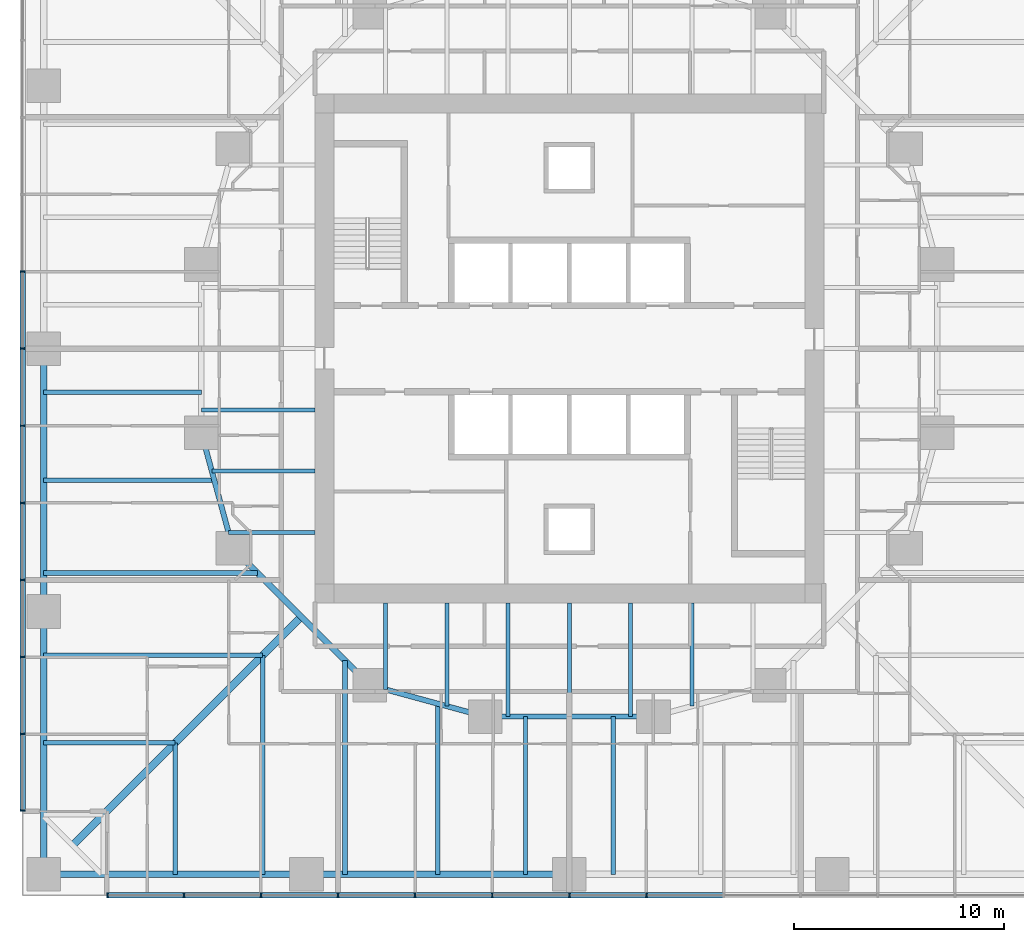
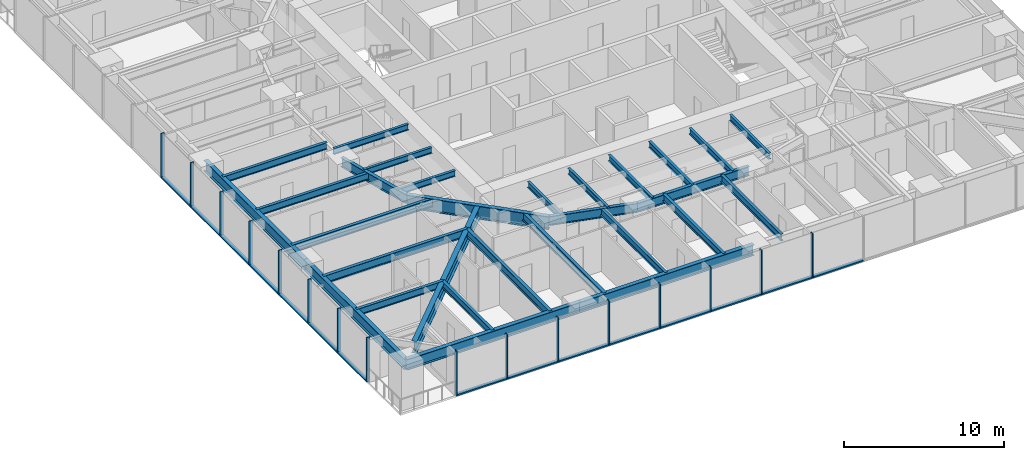
# One storey, part 2 of 18: 31 members, 29 beams, 2 elements without a shape of their own.
"""IFC4 building model written with IfcOpenShell, lengths in metres."""

from ifc_helpers import new_model, si_unit, direction, frame, origin, origin_2d, place, context, subcontext, project, spatial, rectangle, i_section, extrude, material, material_profile, profile_set, type_object, element, aggregate, save


model = new_model("IFC4")

# Units and contexts
model_context = context("Model", 3, precision=1e-05, world=origin(), true_north=direction((0.0, 1.0)))
body_context = subcontext(model_context, "Body", "Model", "MODEL_VIEW")
ifc_project = project(units=[si_unit("LENGTHUNIT", "METRE"), si_unit("AREAUNIT", "SQUARE_METRE"), si_unit("VOLUMEUNIT", "CUBIC_METRE"), si_unit("PLANEANGLEUNIT", "RADIAN"), si_unit("MASSUNIT", "GRAM", prefix="KILO")], contexts=[model_context])

# Site, building, storey
site_placement = place(None, origin())
site = spatial("IfcSite", under=ifc_project, at=site_placement, CompositionType="ELEMENT")
building_placement = place(site_placement, origin())
building = spatial("IfcBuilding", under=site, at=building_placement, Name="Torsade Residences", CompositionType="ELEMENT")
storey_placement = place(building_placement, frame((0.0, 0.0, 28.60009765625)))
storey = spatial("IfcBuildingStorey", under=building, at=storey_placement, Name="L07", CompositionType="ELEMENT", Elevation=28.60009765625)

# Beam
ifc_material_1 = material(Name="Steel grade 300", Category="steel")
ifc_material_profile_1 = material_profile(ifc_material_1, i_section(OverallWidth=0.35009765625, OverallDepth=0.909912109375, WebThickness=0.011962890625, FlangeThickness=0.02490234375, at=origin_2d()), Name="900WB218")
ifc_profile_set_1 = profile_set([ifc_material_profile_1], Name="Steel grade 300")
beam_type_1 = type_object("IfcBeamType", Name="CORNER GIRDER 900WB218", PredefinedType="BEAM", material=ifc_profile_set_1)
beam_1_placement = place(storey_placement, frame((16.375, 6.375, 2.794921875), z_axis=(0.707106781187, 0.707106781187, 0.0), x_axis=(-0.707106781187, 0.707106781187, 0.0)))
element("IfcBeam", 1, at=beam_1_placement, inside=storey, type_object=beam_type_1, Name="Corner girder 01 L08", PredefinedType="BEAM", context=body_context, shape_type="SweptSolid", body=[
    extrude(i_section(OverallWidth=0.35009765625, OverallDepth=0.909912109375, WebThickness=0.011962890625, FlangeThickness=0.02490234375, at=origin_2d()), origin(), (0.0, 0.0, 1.0), 15.379638671875),
])

# Curtain wall, members
ifc_material_2 = material(Name="Aluminium and glass", Category="aluminium")
curtain_wall_type = type_object("IfcCurtainWallType", Name="FRITTED GLASS CURTAIN WALL LOW ZONE", PredefinedType="NOTDEFINED", material=ifc_material_2)
curtain_wall_1_placement = place(storey_placement, origin())
curtain_wall_1 = element("IfcCurtainWall", 2, at=curtain_wall_1_placement, inside=storey, type_object=curtain_wall_type, Name="Curtain wall L07 face 1", PredefinedType="NOTDEFINED")
ifc_material_3 = material(Name="Aluminium mullion", Category="aluminium")
ifc_material_profile_2 = material_profile(ifc_material_3, rectangle(XDim=0.25, YDim=0.06494140625, at=origin_2d()), Name="CURTAIN WALL MULLION 250x65")
ifc_profile_set_2 = profile_set([ifc_material_profile_2], Name="Aluminium mullion")
member_type_1 = type_object("IfcMemberType", Name="CURTAIN WALL MULLION 250x65", PredefinedType="MULLION", material=ifc_profile_set_2)
member_1_placement = place(storey_placement, frame((18.032470703125, 4.0, 0.0), z_axis=(0.0, 0.0, 1.0), x_axis=(0.0, 1.0, 0.0)))
member_1 = element("IfcMember", 3, at=member_1_placement, type_object=member_type_1, Name="Mullion 1", PredefinedType="MULLION", context=body_context, shape_type="SweptSolid", body=[
    extrude(rectangle(XDim=0.25, YDim=0.06494140625, at=origin_2d()), origin(), (0.0, 0.0, 1.0), 3.39990234375),
])
member_2_placement = place(storey_placement, frame((21.666748046875, 4.0, 0.0), z_axis=(0.0, 0.0, 1.0), x_axis=(0.0, 1.0, 0.0)))
member_2 = element("IfcMember", 4, at=member_2_placement, type_object=member_type_1, Name="Mullion 2", PredefinedType="MULLION", context=body_context, shape_type="SweptSolid", body=[
    extrude(rectangle(XDim=0.25, YDim=0.06494140625, at=origin_2d()), origin(), (0.0, 0.0, 1.0), 3.39990234375),
])
member_3_placement = place(storey_placement, frame((25.333251953125, 4.0, 0.0), z_axis=(0.0, 0.0, 1.0), x_axis=(0.0, 1.0, 0.0)))
member_3 = element("IfcMember", 5, at=member_3_placement, type_object=member_type_1, Name="Mullion 3", PredefinedType="MULLION", context=body_context, shape_type="SweptSolid", body=[
    extrude(rectangle(XDim=0.25, YDim=0.06494140625, at=origin_2d()), origin(), (0.0, 0.0, 1.0), 3.39990234375),
])
member_4_placement = place(storey_placement, frame((29.0, 4.0, 0.0), z_axis=(0.0, 0.0, 1.0), x_axis=(0.0, 1.0, 0.0)))
member_4 = element("IfcMember", 6, at=member_4_placement, type_object=member_type_1, Name="Mullion 4", PredefinedType="MULLION", context=body_context, shape_type="SweptSolid", body=[
    extrude(rectangle(XDim=0.25, YDim=0.06494140625, at=origin_2d()), origin(), (0.0, 0.0, 1.0), 3.39990234375),
])
member_5_placement = place(storey_placement, frame((32.666748046875, 4.0, 0.0), z_axis=(0.0, 0.0, 1.0), x_axis=(0.0, 1.0, 0.0)))
member_5 = element("IfcMember", 7, at=member_5_placement, type_object=member_type_1, Name="Mullion 5", PredefinedType="MULLION", context=body_context, shape_type="SweptSolid", body=[
    extrude(rectangle(XDim=0.25, YDim=0.06494140625, at=origin_2d()), origin(), (0.0, 0.0, 1.0), 3.39990234375),
])
member_6_placement = place(storey_placement, frame((36.333251953125, 4.0, 0.0), z_axis=(0.0, 0.0, 1.0), x_axis=(0.0, 1.0, 0.0)))
member_6 = element("IfcMember", 8, at=member_6_placement, type_object=member_type_1, Name="Mullion 6", PredefinedType="MULLION", context=body_context, shape_type="SweptSolid", body=[
    extrude(rectangle(XDim=0.25, YDim=0.06494140625, at=origin_2d()), origin(), (0.0, 0.0, 1.0), 3.39990234375),
])
member_7_placement = place(storey_placement, frame((40.0, 4.0, 0.0), z_axis=(0.0, 0.0, 1.0), x_axis=(0.0, 1.0, 0.0)))
member_7 = element("IfcMember", 9, at=member_7_placement, type_object=member_type_1, Name="Mullion 7", PredefinedType="MULLION", context=body_context, shape_type="SweptSolid", body=[
    extrude(rectangle(XDim=0.25, YDim=0.06494140625, at=origin_2d()), origin(), (0.0, 0.0, 1.0), 3.39990234375),
])
member_8_placement = place(storey_placement, frame((43.666748046875, 4.0, 0.0), z_axis=(0.0, 0.0, 1.0), x_axis=(0.0, 1.0, 0.0)))
member_8 = element("IfcMember", 10, at=member_8_placement, type_object=member_type_1, Name="Mullion 8", PredefinedType="MULLION", context=body_context, shape_type="SweptSolid", body=[
    extrude(rectangle(XDim=0.25, YDim=0.06494140625, at=origin_2d()), origin(), (0.0, 0.0, 1.0), 3.39990234375),
])

curtain_wall_2_placement = place(storey_placement, origin())
curtain_wall_2 = element("IfcCurtainWall", 11, at=curtain_wall_2_placement, inside=storey, type_object=curtain_wall_type, Name="Curtain wall L07 face 10", PredefinedType="NOTDEFINED")
member_9_placement = place(storey_placement, frame((14.0, 33.666748046875, 0.0), z_axis=(0.0, 0.0, 1.0), x_axis=(1.0, 0.0, 0.0)))
member_9 = element("IfcMember", 12, at=member_9_placement, type_object=member_type_1, Name="Mullion 6", PredefinedType="MULLION", context=body_context, shape_type="SweptSolid", body=[
    extrude(rectangle(XDim=0.25, YDim=0.06494140625, at=origin_2d()), origin(), (0.0, 0.0, 1.0), 3.39990234375),
])
member_10_placement = place(storey_placement, frame((14.0, 30.0, 0.0), z_axis=(0.0, 0.0, 1.0), x_axis=(1.0, 0.0, 0.0)))
member_10 = element("IfcMember", 13, at=member_10_placement, type_object=member_type_1, Name="Mullion 7", PredefinedType="MULLION", context=body_context, shape_type="SweptSolid", body=[
    extrude(rectangle(XDim=0.25, YDim=0.06494140625, at=origin_2d()), origin(), (0.0, 0.0, 1.0), 3.39990234375),
])
member_11_placement = place(storey_placement, frame((14.0, 26.333251953125, 0.0), z_axis=(0.0, 0.0, 1.0), x_axis=(1.0, 0.0, 0.0)))
member_11 = element("IfcMember", 14, at=member_11_placement, type_object=member_type_1, Name="Mullion 8", PredefinedType="MULLION", context=body_context, shape_type="SweptSolid", body=[
    extrude(rectangle(XDim=0.25, YDim=0.06494140625, at=origin_2d()), origin(), (0.0, 0.0, 1.0), 3.39990234375),
])
member_12_placement = place(storey_placement, frame((14.0, 22.666748046875, 0.0), z_axis=(0.0, 0.0, 1.0), x_axis=(1.0, 0.0, 0.0)))
member_12 = element("IfcMember", 15, at=member_12_placement, type_object=member_type_1, Name="Mullion 9", PredefinedType="MULLION", context=body_context, shape_type="SweptSolid", body=[
    extrude(rectangle(XDim=0.25, YDim=0.06494140625, at=origin_2d()), origin(), (0.0, 0.0, 1.0), 3.39990234375),
])
member_13_placement = place(storey_placement, frame((14.0, 19.0, 0.0), z_axis=(0.0, 0.0, 1.0), x_axis=(1.0, 0.0, 0.0)))
member_13 = element("IfcMember", 16, at=member_13_placement, type_object=member_type_1, Name="Mullion 10", PredefinedType="MULLION", context=body_context, shape_type="SweptSolid", body=[
    extrude(rectangle(XDim=0.25, YDim=0.06494140625, at=origin_2d()), origin(), (0.0, 0.0, 1.0), 3.39990234375),
])
member_14_placement = place(storey_placement, frame((14.0, 15.333251953125, 0.0), z_axis=(0.0, 0.0, 1.0), x_axis=(1.0, 0.0, 0.0)))
member_14 = element("IfcMember", 17, at=member_14_placement, type_object=member_type_1, Name="Mullion 11", PredefinedType="MULLION", context=body_context, shape_type="SweptSolid", body=[
    extrude(rectangle(XDim=0.25, YDim=0.06494140625, at=origin_2d()), origin(), (0.0, 0.0, 1.0), 3.39990234375),
])
member_15_placement = place(storey_placement, frame((14.0, 11.666748046875, 0.0), z_axis=(0.0, 0.0, 1.0), x_axis=(1.0, 0.0, 0.0)))
member_15 = element("IfcMember", 18, at=member_15_placement, type_object=member_type_1, Name="Mullion 12", PredefinedType="MULLION", context=body_context, shape_type="SweptSolid", body=[
    extrude(rectangle(XDim=0.25, YDim=0.06494140625, at=origin_2d()), origin(), (0.0, 0.0, 1.0), 3.39990234375),
])
member_16_placement = place(storey_placement, frame((14.0, 8.032470703125, 0.0), z_axis=(0.0, 0.0, 1.0), x_axis=(1.0, 0.0, 0.0)))
member_16 = element("IfcMember", 19, at=member_16_placement, type_object=member_type_1, Name="Mullion 13", PredefinedType="MULLION", context=body_context, shape_type="SweptSolid", body=[
    extrude(rectangle(XDim=0.25, YDim=0.06494140625, at=origin_2d()), origin(), (0.0, 0.0, 1.0), 3.39990234375),
])

# Member
ifc_material_4 = material(Name="Aluminium transom", Category="aluminium")
ifc_material_profile_3 = material_profile(ifc_material_4, rectangle(XDim=0.25, YDim=0.10009765625, at=origin_2d()), Name="CURTAIN WALL TRANSOM 250x100")
ifc_profile_set_3 = profile_set([ifc_material_profile_3], Name="Aluminium transom")
member_type_2 = type_object("IfcMemberType", Name="CURTAIN WALL TRANSOM 250x100", PredefinedType="USERDEFINED", material=ifc_profile_set_3)
member_17_placement = place(storey_placement, frame((18.06494140625, 4.0, 0.0498046875), z_axis=(1.0, 0.0, 0.0), x_axis=(0.0, 1.0, 0.0)))
member_17 = element("IfcMember", 20, at=member_17_placement, type_object=member_type_2, Name="Transom 1.1", ObjectType="TRANSOM", PredefinedType="USERDEFINED", context=body_context, shape_type="SweptSolid", body=[
    extrude(rectangle(XDim=0.25, YDim=0.10009765625, at=origin_2d()), origin(), (0.0, 0.0, 1.0), 3.5693359375),
])

member_18_placement = place(storey_placement, frame((21.69921875, 4.0, 0.0498046875), z_axis=(1.0, 0.0, 0.0), x_axis=(0.0, 1.0, 0.0)))
member_18 = element("IfcMember", 21, at=member_18_placement, type_object=member_type_2, Name="Transom 2.1", ObjectType="TRANSOM", PredefinedType="USERDEFINED", context=body_context, shape_type="SweptSolid", body=[
    extrude(rectangle(XDim=0.25, YDim=0.10009765625, at=origin_2d()), origin(), (0.0, 0.0, 1.0), 3.6015625),
])

member_19_placement = place(storey_placement, frame((25.36572265625, 4.0, 0.0498046875), z_axis=(1.0, 0.0, 0.0), x_axis=(0.0, 1.0, 0.0)))
member_19 = element("IfcMember", 22, at=member_19_placement, type_object=member_type_2, Name="Transom 3.1", ObjectType="TRANSOM", PredefinedType="USERDEFINED", context=body_context, shape_type="SweptSolid", body=[
    extrude(rectangle(XDim=0.25, YDim=0.10009765625, at=origin_2d()), origin(), (0.0, 0.0, 1.0), 3.601806640625),
])

member_20_placement = place(storey_placement, frame((29.032470703125, 4.0, 0.0498046875), z_axis=(1.0, 0.0, 0.0), x_axis=(0.0, 1.0, 0.0)))
member_20 = element("IfcMember", 23, at=member_20_placement, type_object=member_type_2, Name="Transom 4.1", ObjectType="TRANSOM", PredefinedType="USERDEFINED", context=body_context, shape_type="SweptSolid", body=[
    extrude(rectangle(XDim=0.25, YDim=0.10009765625, at=origin_2d()), origin(), (0.0, 0.0, 1.0), 3.601806640625),
])

member_21_placement = place(storey_placement, frame((32.69921875, 4.0, 0.0498046875), z_axis=(1.0, 0.0, 0.0), x_axis=(0.0, 1.0, 0.0)))
member_21 = element("IfcMember", 24, at=member_21_placement, type_object=member_type_2, Name="Transom 5.1", ObjectType="TRANSOM", PredefinedType="USERDEFINED", context=body_context, shape_type="SweptSolid", body=[
    extrude(rectangle(XDim=0.25, YDim=0.10009765625, at=origin_2d()), origin(), (0.0, 0.0, 1.0), 3.6015625),
])

member_22_placement = place(storey_placement, frame((36.36572265625, 4.0, 0.0498046875), z_axis=(1.0, 0.0, 0.0), x_axis=(0.0, 1.0, 0.0)))
member_22 = element("IfcMember", 25, at=member_22_placement, type_object=member_type_2, Name="Transom 6.1", ObjectType="TRANSOM", PredefinedType="USERDEFINED", context=body_context, shape_type="SweptSolid", body=[
    extrude(rectangle(XDim=0.25, YDim=0.10009765625, at=origin_2d()), origin(), (0.0, 0.0, 1.0), 3.601806640625),
])

member_23_placement = place(storey_placement, frame((40.032470703125, 4.0, 0.0498046875), z_axis=(1.0, 0.0, 0.0), x_axis=(0.0, 1.0, 0.0)))
member_23 = element("IfcMember", 26, at=member_23_placement, type_object=member_type_2, Name="Transom 7.1", ObjectType="TRANSOM", PredefinedType="USERDEFINED", context=body_context, shape_type="SweptSolid", body=[
    extrude(rectangle(XDim=0.25, YDim=0.10009765625, at=origin_2d()), origin(), (0.0, 0.0, 1.0), 3.601806640625),
])

member_24_placement = place(storey_placement, frame((43.69921875, 4.0, 0.0498046875), z_axis=(1.0, 0.0, 0.0), x_axis=(0.0, 1.0, 0.0)))
member_24 = element("IfcMember", 27, at=member_24_placement, type_object=member_type_2, Name="Transom 8.1", ObjectType="TRANSOM", PredefinedType="USERDEFINED", context=body_context, shape_type="SweptSolid", body=[
    extrude(rectangle(XDim=0.25, YDim=0.10009765625, at=origin_2d()), origin(), (0.0, 0.0, 1.0), 3.6015625),
])

aggregate(curtain_wall_1, [member_1, member_2, member_3, member_4, member_5, member_6, member_7, member_8, member_17, member_18, member_19, member_20, member_21, member_22, member_23, member_24])

member_25_placement = place(storey_placement, frame((14.0, 33.63427734375, 0.0498046875), z_axis=(0.0, -1.0, 0.0), x_axis=(1.0, 0.0, 0.0)))
member_25 = element("IfcMember", 28, at=member_25_placement, type_object=member_type_2, Name="Transom 6.1", ObjectType="TRANSOM", PredefinedType="USERDEFINED", context=body_context, shape_type="SweptSolid", body=[
    extrude(rectangle(XDim=0.25, YDim=0.10009765625, at=origin_2d()), origin(), (0.0, 0.0, 1.0), 3.601806640625),
])

member_26_placement = place(storey_placement, frame((14.0, 29.967529296875, 0.0498046875), z_axis=(0.0, -1.0, 0.0), x_axis=(1.0, 0.0, 0.0)))
member_26 = element("IfcMember", 29, at=member_26_placement, type_object=member_type_2, Name="Transom 7.1", ObjectType="TRANSOM", PredefinedType="USERDEFINED", context=body_context, shape_type="SweptSolid", body=[
    extrude(rectangle(XDim=0.25, YDim=0.10009765625, at=origin_2d()), origin(), (0.0, 0.0, 1.0), 3.601806640625),
])

member_27_placement = place(storey_placement, frame((14.0, 26.30078125, 0.0498046875), z_axis=(0.0, -1.0, 0.0), x_axis=(1.0, 0.0, 0.0)))
member_27 = element("IfcMember", 30, at=member_27_placement, type_object=member_type_2, Name="Transom 8.1", ObjectType="TRANSOM", PredefinedType="USERDEFINED", context=body_context, shape_type="SweptSolid", body=[
    extrude(rectangle(XDim=0.25, YDim=0.10009765625, at=origin_2d()), origin(), (0.0, 0.0, 1.0), 3.6015625),
])

member_28_placement = place(storey_placement, frame((14.0, 22.63427734375, 0.0498046875), z_axis=(0.0, -1.0, 0.0), x_axis=(1.0, 0.0, 0.0)))
member_28 = element("IfcMember", 31, at=member_28_placement, type_object=member_type_2, Name="Transom 9.1", ObjectType="TRANSOM", PredefinedType="USERDEFINED", context=body_context, shape_type="SweptSolid", body=[
    extrude(rectangle(XDim=0.25, YDim=0.10009765625, at=origin_2d()), origin(), (0.0, 0.0, 1.0), 3.601806640625),
])

member_29_placement = place(storey_placement, frame((14.0, 18.967529296875, 0.0498046875), z_axis=(0.0, -1.0, 0.0), x_axis=(1.0, 0.0, 0.0)))
member_29 = element("IfcMember", 32, at=member_29_placement, type_object=member_type_2, Name="Transom 10.1", ObjectType="TRANSOM", PredefinedType="USERDEFINED", context=body_context, shape_type="SweptSolid", body=[
    extrude(rectangle(XDim=0.25, YDim=0.10009765625, at=origin_2d()), origin(), (0.0, 0.0, 1.0), 3.601806640625),
])

member_30_placement = place(storey_placement, frame((14.0, 15.30078125, 0.0498046875), z_axis=(0.0, -1.0, 0.0), x_axis=(1.0, 0.0, 0.0)))
member_30 = element("IfcMember", 33, at=member_30_placement, type_object=member_type_2, Name="Transom 11.1", ObjectType="TRANSOM", PredefinedType="USERDEFINED", context=body_context, shape_type="SweptSolid", body=[
    extrude(rectangle(XDim=0.25, YDim=0.10009765625, at=origin_2d()), origin(), (0.0, 0.0, 1.0), 3.6015625),
])

member_31_placement = place(storey_placement, frame((14.0, 11.63427734375, 0.0498046875), z_axis=(0.0, -1.0, 0.0), x_axis=(1.0, 0.0, 0.0)))
member_31 = element("IfcMember", 34, at=member_31_placement, type_object=member_type_2, Name="Transom 12.1", ObjectType="TRANSOM", PredefinedType="USERDEFINED", context=body_context, shape_type="SweptSolid", body=[
    extrude(rectangle(XDim=0.25, YDim=0.10009765625, at=origin_2d()), origin(), (0.0, 0.0, 1.0), 3.5693359375),
])

aggregate(curtain_wall_2, [member_9, member_10, member_11, member_12, member_13, member_14, member_15, member_16, member_25, member_26, member_27, member_28, member_29, member_30, member_31])

# Beams
ifc_material_5 = material(Name="Steel grade 300", Category="steel")
ifc_material_profile_4 = material_profile(ifc_material_5, i_section(OverallWidth=0.300048828125, OverallDepth=0.81591796875, WebThickness=0.010009765625, FlangeThickness=0.028076171875, at=origin_2d()), Name="800WB192")
ifc_profile_set_4 = profile_set([ifc_material_profile_4], Name="Steel grade 300")
beam_type_2 = type_object("IfcBeamType", Name="EDGE BEAM 800WB192", PredefinedType="SPANDREL", material=ifc_profile_set_4)
for number, where, z_axis, x_axis, name in (
    (35, (15.0, 5.0, 2.841796875), (1.0, 0.0, 0.0), (0.0, 1.0, 0.0), "Edge beam 01 L08"),
    (36, (27.5, 5.0, 2.841796875), (1.0, 0.0, 0.0), (0.0, 1.0, 0.0), "Edge beam 02 L08"),
    (37, (15.0, 30.0, 2.841796875), (0.0, -1.0, 0.0), (1.0, 0.0, 0.0), "Edge beam 15 L08"),
    (38, (15.0, 17.5, 2.841796875), (0.0, -1.0, 0.0), (1.0, 0.0, 0.0), "Edge beam 16 L08"),
):
    element("IfcBeam", number, at=place(storey_placement, frame(where, z_axis=z_axis, x_axis=x_axis)), inside=storey, type_object=beam_type_2, Name=name, PredefinedType="SPANDREL", context=body_context, shape_type="SweptSolid", body=[
        extrude(i_section(OverallWidth=0.300048828125, OverallDepth=0.81591796875, WebThickness=0.010009765625, FlangeThickness=0.028076171875, at=origin_2d()), origin(), (0.0, 0.0, 1.0), 12.5),
    ])
ifc_material_6 = material(Name="Steel grade 300", Category="steel")
ifc_material_profile_5 = material_profile(ifc_material_6, i_section(OverallWidth=0.18994140625, OverallDepth=0.4541015625, WebThickness=0.008544921875, FlangeThickness=0.0126953125, FilletRadius=0.011474609375, at=origin_2d()), Name="460UB67.1")
ifc_profile_set_5 = profile_set([ifc_material_profile_5], Name="Steel grade 300")
beam_type_3 = type_object("IfcBeamType", Name="INNER FLOOR BEAM 460UB67.1", PredefinedType="JOIST", material=ifc_profile_set_5)
beam_2_placement = place(storey_placement, frame((45.824951171875, 17.89990234375, 3.02294921875), z_axis=(0.0, -1.0, 0.0), x_axis=(1.0, 0.0, 0.0)))
element("IfcBeam", 39, at=beam_2_placement, inside=storey, type_object=beam_type_3, Name="Inner floor beam IS02 L08", PredefinedType="JOIST", context=body_context, shape_type="SweptSolid", body=[
    extrude(i_section(OverallWidth=0.18994140625, OverallDepth=0.4541015625, WebThickness=0.008544921875, FlangeThickness=0.0126953125, FilletRadius=0.011474609375, at=origin_2d()), origin(), (0.0, 0.0, 1.0), 4.902099609375),
])
for number, where, z_axis, x_axis, name in (
    (40, (42.91259765625, 17.89990234375, 3.02294921875), (0.0, -1.0, 0.0), (1.0, 0.0, 0.0), "Inner floor beam IS03 L08"),
    (41, (40.0, 17.89990234375, 3.02294921875), (0.0, -1.0, 0.0), (1.0, 0.0, 0.0), "Inner floor beam IS04 L08"),
    (42, (37.08740234375, 17.89990234375, 3.02294921875), (0.0, -1.0, 0.0), (1.0, 0.0, 0.0), "Inner floor beam IS05 L08"),
):
    element("IfcBeam", number, at=place(storey_placement, frame(where, z_axis=z_axis, x_axis=x_axis)), inside=storey, type_object=beam_type_3, Name=name, PredefinedType="JOIST", context=body_context, shape_type="SweptSolid", body=[
        extrude(i_section(OverallWidth=0.18994140625, OverallDepth=0.4541015625, WebThickness=0.008544921875, FlangeThickness=0.0126953125, FilletRadius=0.011474609375, at=origin_2d()), origin(), (0.0, 0.0, 1.0), 5.39990234375),
    ])
beam_3_placement = place(storey_placement, frame((34.175048828125, 17.89990234375, 3.02294921875), z_axis=(0.0, -1.0, 0.0), x_axis=(1.0, 0.0, 0.0)))
element("IfcBeam", 43, at=beam_3_placement, inside=storey, type_object=beam_type_3, Name="Inner floor beam IS06 L08", PredefinedType="JOIST", context=body_context, shape_type="SweptSolid", body=[
    extrude(i_section(OverallWidth=0.18994140625, OverallDepth=0.4541015625, WebThickness=0.008544921875, FlangeThickness=0.0126953125, FilletRadius=0.011474609375, at=origin_2d()), origin(), (0.0, 0.0, 1.0), 4.902099609375),
])
beam_4_placement = place(storey_placement, frame((31.262451171875, 17.89990234375, 3.02294921875), z_axis=(0.0, -1.0, 0.0), x_axis=(1.0, 0.0, 0.0)))
element("IfcBeam", 44, at=beam_4_placement, inside=storey, type_object=beam_type_3, Name="Inner floor beam IS07 L08", PredefinedType="JOIST", context=body_context, shape_type="SweptSolid", body=[
    extrude(i_section(OverallWidth=0.18994140625, OverallDepth=0.4541015625, WebThickness=0.008544921875, FlangeThickness=0.0126953125, FilletRadius=0.011474609375, at=origin_2d()), origin(), (0.0, 0.0, 1.0), 4.10791015625),
])
beam_5_placement = place(storey_placement, frame((27.89990234375, 27.08740234375, 3.02294921875), z_axis=(-1.0, 0.0, 0.0), x_axis=(0.0, -1.0, 0.0)))
element("IfcBeam", 45, at=beam_5_placement, inside=storey, type_object=beam_type_3, Name="Inner floor beam IW05 L08", PredefinedType="JOIST", context=body_context, shape_type="SweptSolid", body=[
    extrude(i_section(OverallWidth=0.18994140625, OverallDepth=0.4541015625, WebThickness=0.008544921875, FlangeThickness=0.0126953125, FilletRadius=0.011474609375, at=origin_2d()), origin(), (0.0, 0.0, 1.0), 5.39990234375),
])
beam_6_placement = place(storey_placement, frame((27.89990234375, 24.175048828125, 3.02294921875), z_axis=(-1.0, 0.0, 0.0), x_axis=(0.0, -1.0, 0.0)))
element("IfcBeam", 46, at=beam_6_placement, inside=storey, type_object=beam_type_3, Name="Inner floor beam IW06 L08", PredefinedType="JOIST", context=body_context, shape_type="SweptSolid", body=[
    extrude(i_section(OverallWidth=0.18994140625, OverallDepth=0.4541015625, WebThickness=0.008544921875, FlangeThickness=0.0126953125, FilletRadius=0.011474609375, at=origin_2d()), origin(), (0.0, 0.0, 1.0), 4.902099609375),
])
beam_7_placement = place(storey_placement, frame((27.89990234375, 21.262451171875, 3.02294921875), z_axis=(-1.0, 0.0, 0.0), x_axis=(0.0, -1.0, 0.0)))
element("IfcBeam", 47, at=beam_7_placement, inside=storey, type_object=beam_type_3, Name="Inner floor beam IW07 L08", PredefinedType="JOIST", context=body_context, shape_type="SweptSolid", body=[
    extrude(i_section(OverallWidth=0.18994140625, OverallDepth=0.4541015625, WebThickness=0.008544921875, FlangeThickness=0.0126953125, FilletRadius=0.011474609375, at=origin_2d()), origin(), (0.0, 0.0, 1.0), 4.10791015625),
])
ifc_material_7 = material(Name="Steel grade 300", Category="steel")
ifc_material_profile_6 = material_profile(ifc_material_7, i_section(OverallWidth=0.300048828125, OverallDepth=1.0, WebThickness=0.01611328125, FlangeThickness=0.028076171875, at=origin_2d()), Name="1000WB215")
ifc_profile_set_6 = profile_set([ifc_material_profile_6], Name="Steel grade 300")
beam_type_4 = type_object("IfcBeamType", Name="RING CORNER GIRDER 1000WB215", PredefinedType="BEAM", material=ifc_profile_set_6)
beam_8_placement = place(storey_placement, frame((24.0, 20.5, 2.75), z_axis=(0.707106781187, -0.707106781187, 0.0), x_axis=(0.707106781187, 0.707106781187, 0.0)))
element("IfcBeam", 48, at=beam_8_placement, inside=storey, type_object=beam_type_4, Name="Ring girder IR11 L08", PredefinedType="BEAM", context=body_context, shape_type="SweptSolid", body=[
    extrude(i_section(OverallWidth=0.300048828125, OverallDepth=1.0, WebThickness=0.01611328125, FlangeThickness=0.028076171875, at=origin_2d()), origin(), (0.0, 0.0, 1.0), 9.1923828125),
])
ifc_material_8 = material(Name="Steel grade 300", Category="steel")
ifc_material_profile_7 = material_profile(ifc_material_8, i_section(OverallWidth=0.25, OverallDepth=0.699951171875, WebThickness=0.010009765625, FlangeThickness=0.02001953125, at=origin_2d()), Name="700WB130")
ifc_profile_set_7 = profile_set([ifc_material_profile_7], Name="Steel grade 300")
beam_type_5 = type_object("IfcBeamType", Name="RING GIRDER 700WB130", PredefinedType="BEAM", material=ifc_profile_set_7)
for number, where, z_axis, x_axis, name in (
    (49, (22.5, 26.0, 2.89990234375), (0.263117405792, -0.964763821238, 0.0), (0.964763821238, 0.263117405792, 0.0), "Ring girder IR10 L08"),
    (50, (30.5, 14.0, 2.89990234375), (0.964763821238, -0.263117405792, 0.0), (0.263117405792, 0.964763821238, 0.0), "Ring girder IR12 L08"),
):
    element("IfcBeam", number, at=place(storey_placement, frame(where, z_axis=z_axis, x_axis=x_axis)), inside=storey, type_object=beam_type_5, Name=name, PredefinedType="BEAM", context=body_context, shape_type="SweptSolid", body=[
        extrude(i_section(OverallWidth=0.25, OverallDepth=0.699951171875, WebThickness=0.010009765625, FlangeThickness=0.02001953125, at=origin_2d()), origin(), (0.0, 0.0, 1.0), 5.700927734375),
    ])
beam_9_placement = place(storey_placement, frame((36.0, 12.5, 2.89990234375), z_axis=(1.0, 0.0, 0.0), x_axis=(0.0, 1.0, 0.0)))
element("IfcBeam", 51, at=beam_9_placement, inside=storey, type_object=beam_type_5, Name="Ring girder IR13 L08", PredefinedType="BEAM", context=body_context, shape_type="SweptSolid", body=[
    extrude(i_section(OverallWidth=0.25, OverallDepth=0.699951171875, WebThickness=0.010009765625, FlangeThickness=0.02001953125, at=origin_2d()), origin(), (0.0, 0.0, 1.0), 8.0),
])
ifc_material_9 = material(Name="Steel grade 300", Category="steel")
ifc_material_profile_8 = material_profile(ifc_material_9, i_section(OverallWidth=0.208984375, OverallDepth=0.528076171875, WebThickness=0.009521484375, FlangeThickness=0.01318359375, FilletRadius=0.013916015625, at=origin_2d()), Name="530UB82.0")
ifc_profile_set_8 = profile_set([ifc_material_profile_8], Name="Steel grade 300")
beam_type_6 = type_object("IfcBeamType", Name="SECONDARY BEAM 530UB82.0", PredefinedType="JOIST", material=ifc_profile_set_8)
beam_10_placement = place(storey_placement, frame((21.25, 5.0, 2.98583984375), z_axis=(0.0, 1.0, 0.0), x_axis=(-1.0, 0.0, 0.0)))
element("IfcBeam", 52, at=beam_10_placement, inside=storey, type_object=beam_type_6, Name="Floor beam FS02 L08", PredefinedType="JOIST", context=body_context, shape_type="SweptSolid", body=[
    extrude(i_section(OverallWidth=0.208984375, OverallDepth=0.528076171875, WebThickness=0.009521484375, FlangeThickness=0.01318359375, FilletRadius=0.013916015625, at=origin_2d()), origin(), (0.0, 0.0, 1.0), 6.25),
])
beam_11_placement = place(storey_placement, frame((33.75, 5.0, 2.98583984375), z_axis=(0.0, 1.0, 0.0), x_axis=(-1.0, 0.0, 0.0)))
element("IfcBeam", 53, at=beam_11_placement, inside=storey, type_object=beam_type_6, Name="Floor beam FS05 L08", PredefinedType="JOIST", context=body_context, shape_type="SweptSolid", body=[
    extrude(i_section(OverallWidth=0.208984375, OverallDepth=0.528076171875, WebThickness=0.009521484375, FlangeThickness=0.01318359375, FilletRadius=0.013916015625, at=origin_2d()), origin(), (0.0, 0.0, 1.0), 8.113525390625),
])
for number, where, z_axis, x_axis, name in (
    (54, (37.916748046875, 5.0, 2.98583984375), (0.0, 1.0, 0.0), (-1.0, 0.0, 0.0), "Floor beam FS06 L08"),
    (55, (42.083251953125, 5.0, 2.98583984375), (0.0, 1.0, 0.0), (-1.0, 0.0, 0.0), "Floor beam FS07 L08"),
    (56, (15.0, 27.916748046875, 2.98583984375), (1.0, 0.0, 0.0), (0.0, 1.0, 0.0), "Floor beam FW07 L08"),
):
    element("IfcBeam", number, at=place(storey_placement, frame(where, z_axis=z_axis, x_axis=x_axis)), inside=storey, type_object=beam_type_6, Name=name, PredefinedType="JOIST", context=body_context, shape_type="SweptSolid", body=[
        extrude(i_section(OverallWidth=0.208984375, OverallDepth=0.528076171875, WebThickness=0.009521484375, FlangeThickness=0.01318359375, FilletRadius=0.013916015625, at=origin_2d()), origin(), (0.0, 0.0, 1.0), 7.5),
    ])
beam_12_placement = place(storey_placement, frame((15.0, 23.75, 2.98583984375), z_axis=(1.0, 0.0, 0.0), x_axis=(0.0, 1.0, 0.0)))
element("IfcBeam", 57, at=beam_12_placement, inside=storey, type_object=beam_type_6, Name="Floor beam FW08 L08", PredefinedType="JOIST", context=body_context, shape_type="SweptSolid", body=[
    extrude(i_section(OverallWidth=0.208984375, OverallDepth=0.528076171875, WebThickness=0.009521484375, FlangeThickness=0.01318359375, FilletRadius=0.013916015625, at=origin_2d()), origin(), (0.0, 0.0, 1.0), 8.113525390625),
])
beam_13_placement = place(storey_placement, frame((15.0, 11.25, 2.98583984375), z_axis=(1.0, 0.0, 0.0), x_axis=(0.0, 1.0, 0.0)))
element("IfcBeam", 58, at=beam_13_placement, inside=storey, type_object=beam_type_6, Name="Floor beam FW11 L08", PredefinedType="JOIST", context=body_context, shape_type="SweptSolid", body=[
    extrude(i_section(OverallWidth=0.208984375, OverallDepth=0.528076171875, WebThickness=0.009521484375, FlangeThickness=0.01318359375, FilletRadius=0.013916015625, at=origin_2d()), origin(), (0.0, 0.0, 1.0), 6.25),
])
ifc_material_10 = material(Name="Steel grade 300", Category="steel")
ifc_material_profile_9 = material_profile(ifc_material_10, i_section(OverallWidth=0.22900390625, OverallDepth=0.612060546875, WebThickness=0.011962890625, FlangeThickness=0.01953125, FilletRadius=0.013916015625, at=origin_2d()), Name="610UB125")
ifc_profile_set_9 = profile_set([ifc_material_profile_9], Name="Steel grade 300")
beam_type_7 = type_object("IfcBeamType", Name="SECONDARY BEAM 610UB125", PredefinedType="JOIST", material=ifc_profile_set_9)
beam_14_placement = place(storey_placement, frame((25.416748046875, 5.0, 2.94384765625), z_axis=(0.0, 1.0, 0.0), x_axis=(-1.0, 0.0, 0.0)))
element("IfcBeam", 59, at=beam_14_placement, inside=storey, type_object=beam_type_7, Name="Floor beam FS03 L08", PredefinedType="JOIST", context=body_context, shape_type="SweptSolid", body=[
    extrude(i_section(OverallWidth=0.22900390625, OverallDepth=0.612060546875, WebThickness=0.011962890625, FlangeThickness=0.01953125, FilletRadius=0.013916015625, at=origin_2d()), origin(), (0.0, 0.0, 1.0), 10.416748046875),
])
for number, where, z_axis, x_axis, name in (
    (60, (29.333251953125, 5.0, 2.94384765625), (0.0, 1.0, 0.0), (-1.0, 0.0, 0.0), "Floor beam FS04 L08"),
    (61, (15.0, 19.333251953125, 2.94384765625), (1.0, 0.0, 0.0), (0.0, 1.0, 0.0), "Floor beam FW09 L08"),
):
    element("IfcBeam", number, at=place(storey_placement, frame(where, z_axis=z_axis, x_axis=x_axis)), inside=storey, type_object=beam_type_7, Name=name, PredefinedType="JOIST", context=body_context, shape_type="SweptSolid", body=[
        extrude(i_section(OverallWidth=0.22900390625, OverallDepth=0.612060546875, WebThickness=0.011962890625, FlangeThickness=0.01953125, FilletRadius=0.013916015625, at=origin_2d()), origin(), (0.0, 0.0, 1.0), 10.166748046875),
    ])
beam_15_placement = place(storey_placement, frame((15.0, 15.416748046875, 2.94384765625), z_axis=(1.0, 0.0, 0.0), x_axis=(0.0, 1.0, 0.0)))
element("IfcBeam", 62, at=beam_15_placement, inside=storey, type_object=beam_type_7, Name="Floor beam FW10 L08", PredefinedType="JOIST", context=body_context, shape_type="SweptSolid", body=[
    extrude(i_section(OverallWidth=0.22900390625, OverallDepth=0.612060546875, WebThickness=0.011962890625, FlangeThickness=0.01953125, FilletRadius=0.013916015625, at=origin_2d()), origin(), (0.0, 0.0, 1.0), 10.416748046875),
])

save(model, "model.ifc")
